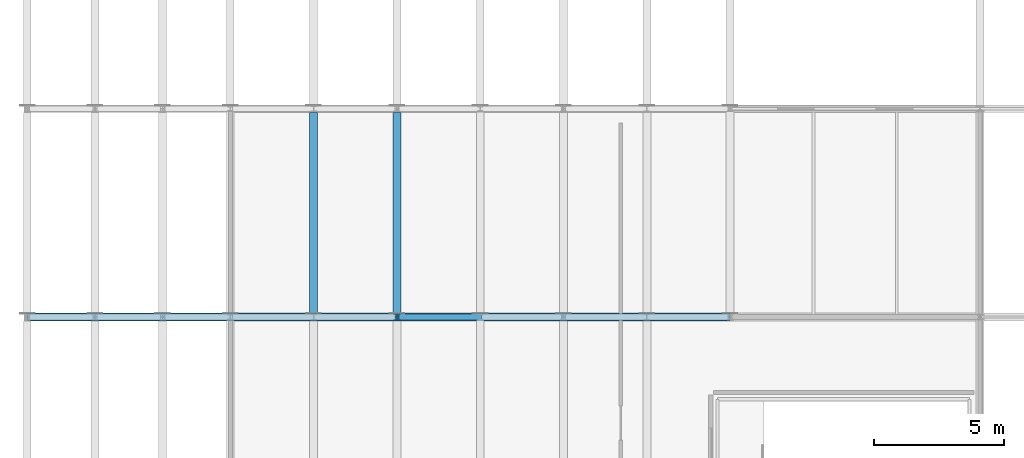
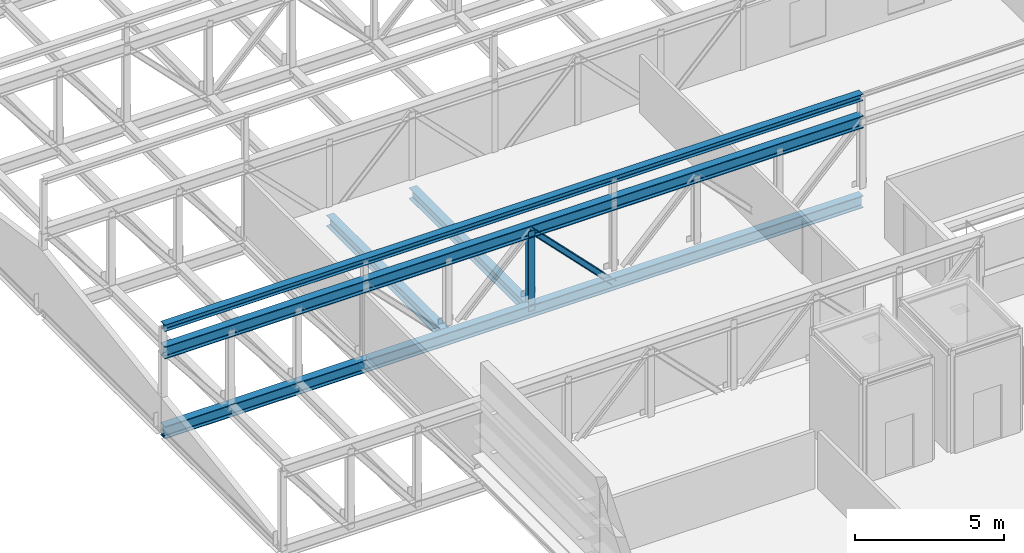
# One storey, part 14 of 34: 5 beams, 2 members.
"""IFC4 building model written with IfcOpenShell, lengths in metres."""

from ifc_helpers import new_model, si_unit, direction, frame, origin, origin_2d, place, context, subcontext, project, spatial, i_section, extrude, material, material_profile, profile_set, type_object, element, save


model = new_model("IFC4")

# Units and contexts
model_context = context("Model", 3, precision=1e-05, world=origin(), true_north=direction((0.0, 1.0)))
body_context = subcontext(model_context, "Body", "Model", "MODEL_VIEW")
ifc_project = project(units=[si_unit("LENGTHUNIT", "METRE"), si_unit("AREAUNIT", "SQUARE_METRE"), si_unit("VOLUMEUNIT", "CUBIC_METRE"), si_unit("PLANEANGLEUNIT", "RADIAN"), si_unit("MASSUNIT", "GRAM", prefix="KILO")], contexts=[model_context])

# Site, building, storey
site_placement = place(None, origin())
site = spatial("IfcSite", under=ifc_project, at=site_placement, CompositionType="ELEMENT")
building_placement = place(site_placement, origin())
building = spatial("IfcBuilding", under=site, at=building_placement, Name="Alderhovde Museum", CompositionType="ELEMENT")
storey_placement = place(building_placement, frame((0.0, 0.0, 25.800048828125)))
storey = spatial("IfcBuildingStorey", under=building, at=storey_placement, Name="L05", CompositionType="ELEMENT", Elevation=25.800048828125)

# Beams
ifc_material_1 = material(Name="Steel S355J2", Category="steel")
ifc_material_profile_1 = material_profile(ifc_material_1, i_section(OverallWidth=0.280029296875, OverallDepth=0.27001953125, WebThickness=0.008056640625, FlangeThickness=0.012939453125, FilletRadius=0.02392578125, at=origin_2d()), Name="HEA 280")
ifc_profile_set_1 = profile_set([ifc_material_profile_1], Name="Steel S355J2")
beam_type_1 = type_object("IfcBeamType", Name="BM-HEA280", PredefinedType="BEAM", material=ifc_profile_set_1)
beam_placement = place(storey_placement, frame((1.800048828125, 88.0, 3.75), z_axis=(1.0, 0.0, 0.0), x_axis=(0.0, 1.0, 0.0)))
element("IfcBeam", 1, at=beam_placement, inside=storey, type_object=beam_type_1, Name="Cantilever Wing Roof Beam Y=88 (1.8 TO 28.8)", PredefinedType="BEAM", context=body_context, shape_type="SweptSolid", body=[
    extrude(i_section(OverallWidth=0.280029296875, OverallDepth=0.27001953125, WebThickness=0.008056640625, FlangeThickness=0.012939453125, FilletRadius=0.02392578125, at=origin_2d()), origin(), (0.0, 0.0, 1.0), 27.0),
])
ifc_material_2 = material(Name="Steel S355J2", Category="steel")
ifc_material_profile_2 = material_profile(ifc_material_2, i_section(OverallWidth=0.300048828125, OverallDepth=0.43994140625, WebThickness=0.011474609375, FlangeThickness=0.02099609375, FilletRadius=0.027099609375, at=origin_2d()), Name="HEA 450")
ifc_profile_set_2 = profile_set([ifc_material_profile_2], Name="Steel S355J2")
beam_type_2 = type_object("IfcBeamType", Name="BM-HEA450", PredefinedType="BEAM", material=ifc_profile_set_2)
for number, where, z_axis, x_axis, name in (
    (2, (12.800048828125, 88.14990234375, -0.47998046875), (0.0, 1.0, 0.0), (-1.0, 0.0, 0.0), "L05 Transfer Transverse Beam X=12.8"),
    (3, (16.0, 88.14990234375, -0.47998046875), (0.0, 1.0, 0.0), (-1.0, 0.0, 0.0), "L05 Transfer Transverse Beam X=16.0"),
):
    element("IfcBeam", number, at=place(storey_placement, frame(where, z_axis=z_axis, x_axis=x_axis)), inside=storey, type_object=beam_type_2, Name=name, PredefinedType="BEAM", context=body_context, shape_type="SweptSolid", body=[
        extrude(i_section(OverallWidth=0.300048828125, OverallDepth=0.43994140625, WebThickness=0.011474609375, FlangeThickness=0.02099609375, FilletRadius=0.027099609375, at=origin_2d()), origin(), (0.0, 0.0, 1.0), 7.7001953125),
    ])
ifc_material_3 = material(Name="Steel S355J2", Category="steel")
ifc_material_profile_3 = material_profile(ifc_material_3, i_section(OverallWidth=0.300048828125, OverallDepth=0.5, WebThickness=0.014404296875, FlangeThickness=0.028076171875, FilletRadius=0.027099609375, at=origin_2d()), Name="HEB 500")
ifc_profile_set_3 = profile_set([ifc_material_profile_3], Name="Steel S355J2")
beam_type_3 = type_object("IfcBeamType", Name="BM-HEB500", PredefinedType="BEAM", material=ifc_profile_set_3)
for number, where, z_axis, x_axis, name in (
    (4, (1.800048828125, 88.0, -0.510009765625), (1.0, 0.0, 0.0), (0.0, 1.0, 0.0), "Transfer Truss Y=88 FLR5 Continuous Chord"),
    (5, (1.800048828125, 88.0, 2.75), (1.0, 0.0, 0.0), (0.0, 1.0, 0.0), "Transfer Truss Y=88 TOP Continuous Chord"),
):
    element("IfcBeam", number, at=place(storey_placement, frame(where, z_axis=z_axis, x_axis=x_axis)), inside=storey, type_object=beam_type_3, Name=name, PredefinedType="BEAM", context=body_context, shape_type="SweptSolid", body=[
        extrude(i_section(OverallWidth=0.300048828125, OverallDepth=0.5, WebThickness=0.014404296875, FlangeThickness=0.028076171875, FilletRadius=0.027099609375, at=origin_2d()), origin(), (0.0, 0.0, 1.0), 27.0),
    ])

# Members
ifc_material_4 = material(Name="Steel S355J2", Category="steel")
ifc_material_profile_4 = material_profile(ifc_material_4, i_section(OverallWidth=0.219970703125, OverallDepth=0.2099609375, WebThickness=0.007080078125, FlangeThickness=0.010986328125, FilletRadius=0.01806640625, at=origin_2d()), Name="HEA 220")
ifc_profile_set_4 = profile_set([ifc_material_profile_4], Name="Steel S355J2")
member_type_1 = type_object("IfcMemberType", Name="TR-DG-HEA220", PredefinedType="RAFTER", material=ifc_profile_set_4)
member_1_placement = place(storey_placement, frame((16.0, 88.0, 2.75), z_axis=(0.700502499188, 0.0, -0.713649948246), x_axis=(0.0, 1.0, 0.0)))
element("IfcMember", 6, at=member_1_placement, inside=storey, type_object=member_type_1, Name="Transfer Truss Y=88 T3 Diagonal 6", PredefinedType="RAFTER", context=body_context, shape_type="SweptSolid", body=[
    extrude(i_section(OverallWidth=0.219970703125, OverallDepth=0.2099609375, WebThickness=0.007080078125, FlangeThickness=0.010986328125, FilletRadius=0.01806640625, at=origin_2d()), origin(), (0.0, 0.0, 1.0), 4.568115234375),
])
ifc_material_5 = material(Name="Steel S355J2", Category="steel")
ifc_material_profile_5 = material_profile(ifc_material_5, i_section(OverallWidth=0.239990234375, OverallDepth=0.22998046875, WebThickness=0.007568359375, FlangeThickness=0.011962890625, FilletRadius=0.02099609375, at=origin_2d()), Name="HEA 240")
ifc_profile_set_5 = profile_set([ifc_material_profile_5], Name="Steel S355J2")
member_type_2 = type_object("IfcMemberType", Name="TR-PS-HEA240", PredefinedType="POST", material=ifc_profile_set_5)
member_2_placement = place(storey_placement, frame((16.0, 88.0, -0.510009765625), z_axis=(0.0, 0.0, 1.0), x_axis=(1.0, 0.0, 0.0)))
element("IfcMember", 7, at=member_2_placement, inside=storey, type_object=member_type_2, Name="Transfer Truss Y=88 T3 Post 6", PredefinedType="POST", context=body_context, shape_type="SweptSolid", body=[
    extrude(i_section(OverallWidth=0.239990234375, OverallDepth=0.22998046875, WebThickness=0.007568359375, FlangeThickness=0.011962890625, FilletRadius=0.02099609375, at=origin_2d()), origin(), (0.0, 0.0, 1.0), 3.260009765625),
])

save(model, "model.ifc")
